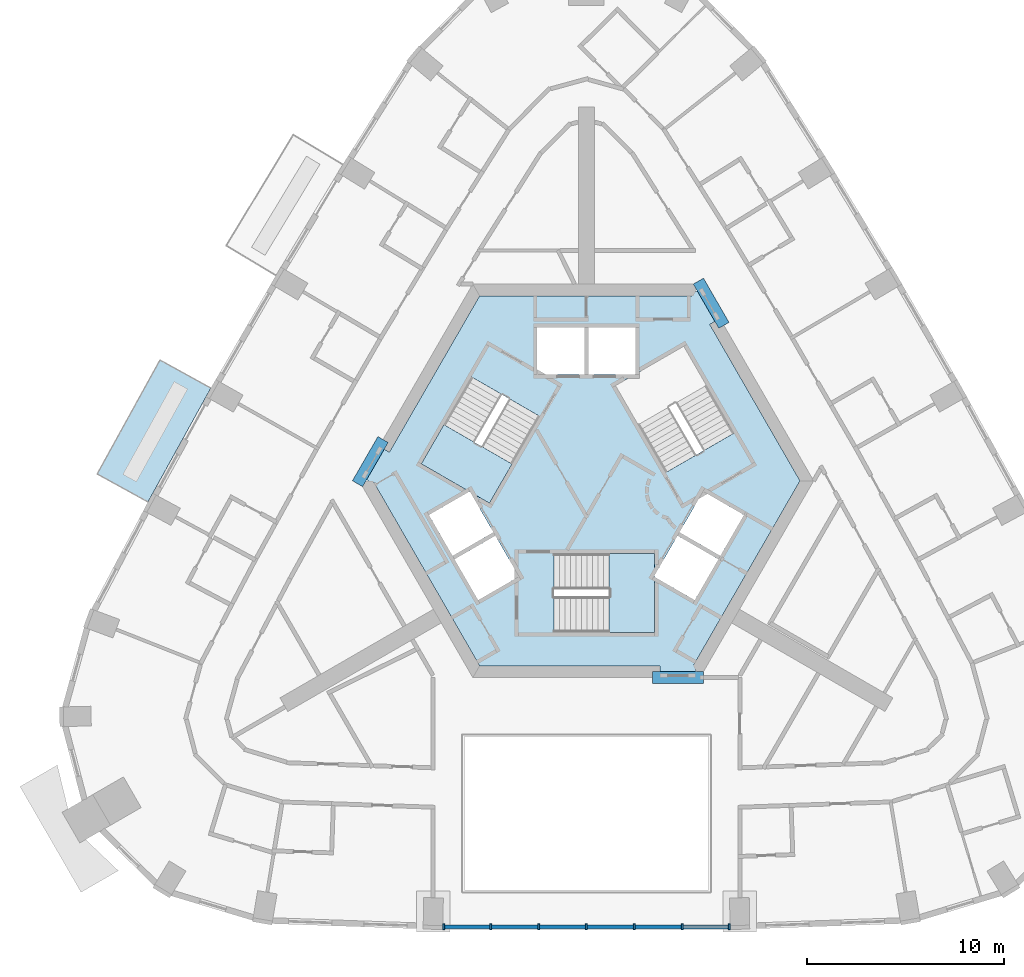
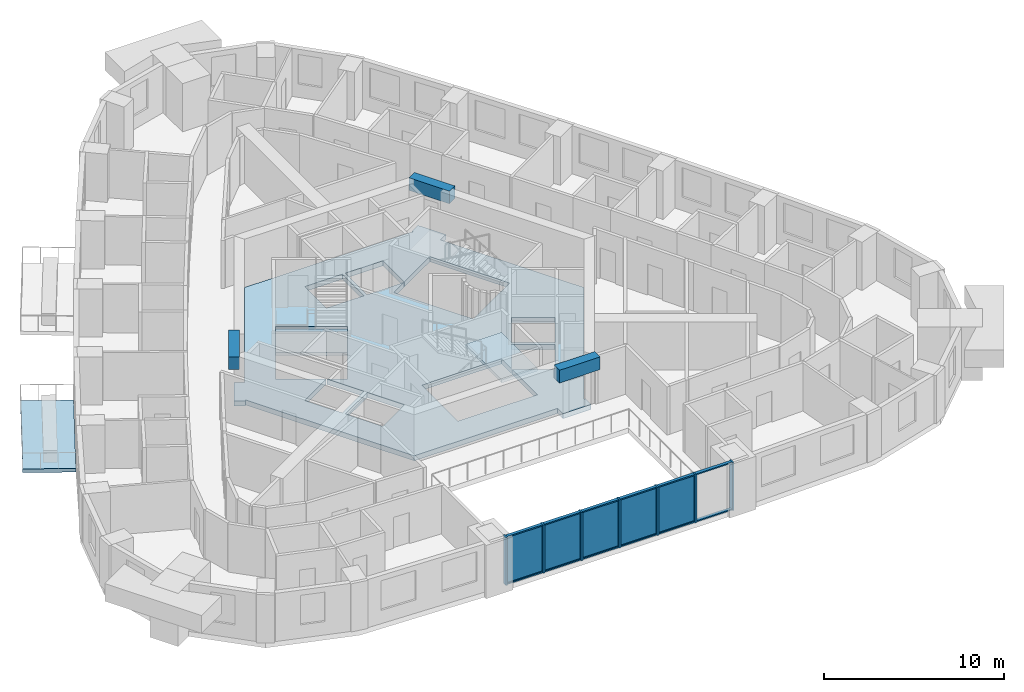
# One storey, part 2 of 14: 19 members, 5 plates, 4 slabs, 3 beams, 3 elements without a shape of their own.
"""IFC4 building model written with IfcOpenShell, lengths in metres."""

from ifc_helpers import new_model, si_unit, direction, frame, origin, origin_2d, place, context, subcontext, project, spatial, polyline, rectangle, outline, extrude, material, layer, layer_set, material_profile, profile_set, type_object, element, aggregate, save


model = new_model("IFC4")

# Units and contexts
model_context = context("Model", 3, precision=1e-05, world=origin(), true_north=direction((0.0, 1.0)))
body_context = subcontext(model_context, "Body", "Model", "MODEL_VIEW")
ifc_project = project(units=[si_unit("LENGTHUNIT", "METRE"), si_unit("AREAUNIT", "SQUARE_METRE"), si_unit("VOLUMEUNIT", "CUBIC_METRE"), si_unit("PLANEANGLEUNIT", "RADIAN"), si_unit("MASSUNIT", "GRAM", prefix="KILO")], contexts=[model_context])

# Site, building, storey
site_placement = place(None, origin())
site = spatial("IfcSite", under=ifc_project, at=site_placement, CompositionType="ELEMENT")
building_placement = place(site_placement, origin())
building = spatial("IfcBuilding", under=site, at=building_placement, Name="Entoto Arch Interchange Tower", CompositionType="ELEMENT")
storey_placement = place(building_placement, frame((0.0, 0.0, 259.39990234375)))
storey = spatial("IfcBuildingStorey", under=building, at=storey_placement, Name="L59", CompositionType="ELEMENT", Elevation=259.39990234375)

# Beams
ifc_material_1 = material(Name="Concrete C40/50", Category="concrete")
ifc_material_profile_1 = material_profile(ifc_material_1, rectangle(XDim=0.60009765625, YDim=0.860107421875, at=origin_2d()))
ifc_profile_set_1 = profile_set([ifc_material_profile_1], Name="Concrete C40/50")
beam_type = type_object("IfcBeamType", Name="Coupling beam RC 600x860 C40/50", PredefinedType="BEAM", material=ifc_profile_set_1)
beam_1_placement = place(storey_placement, frame((6.986083984375, 10.40087890625, 2.830078125), z_axis=(-0.500379508478, 0.865806183562, 0.0), x_axis=(-0.865806183562, -0.500379508478, 0.0)))
element("IfcBeam", 1, at=beam_1_placement, inside=storey, type_object=beam_type, Name="Coupling beam NE L59", PredefinedType="BEAM", context=body_context, shape_type="SweptSolid", body=[
    extrude(rectangle(XDim=0.60009765625, YDim=0.860107421875, at=origin_2d()), origin(), (0.0, 0.0, 1.0), 2.59423828125),
])
beam_2_placement = place(storey_placement, frame((-10.3359375, 4.59912109375, 2.830078125), z_axis=(-0.499814819145, -0.866132291606, 0.0), x_axis=(0.866132291606, -0.499814819145, 0.0)))
element("IfcBeam", 2, at=beam_2_placement, inside=storey, type_object=beam_type, Name="Coupling beam NW L59", PredefinedType="BEAM", context=body_context, shape_type="SweptSolid", body=[
    extrude(rectangle(XDim=0.60009765625, YDim=0.860107421875, at=origin_2d()), origin(), (0.0, 0.0, 1.0), 2.59326171875),
])
beam_3_placement = place(storey_placement, frame((3.35009765625, -7.5, 2.830078125), z_axis=(1.0, 0.0, 0.0), x_axis=(0.0, 1.0, 0.0)))
element("IfcBeam", 3, at=beam_3_placement, inside=storey, type_object=beam_type, Name="Coupling beam S L59", PredefinedType="BEAM", context=body_context, shape_type="SweptSolid", body=[
    extrude(rectangle(XDim=0.60009765625, YDim=0.860107421875, at=origin_2d()), origin(), (0.0, 0.0, 1.0), 2.593994140625),
])

# Curtain wall, members
ifc_material_2 = material(Name="Aluminium, anodised", Category="aluminium")
curtain_wall_type = type_object("IfcCurtainWallType", Name="CURTAIN WALL ATRIUM", PredefinedType="NOTDEFINED", material=ifc_material_2)
curtain_wall_placement = place(storey_placement, origin())
curtain_wall = element("IfcCurtainWall", 4, at=curtain_wall_placement, inside=storey, type_object=curtain_wall_type, Name="Atrium glazing S-02 L59", PredefinedType="NOTDEFINED")
ifc_material_profile_2 = material_profile(ifc_material_2, rectangle(XDim=0.300048828125, YDim=0.10009765625, at=origin_2d()))
ifc_profile_set_2 = profile_set([ifc_material_profile_2], Name="Aluminium, anodised")
member_type_1 = type_object("IfcMemberType", Name="MULLION ATRIUM 100x300", PredefinedType="MULLION", material=ifc_profile_set_2)
member_1_placement = place(storey_placement, frame((-7.2490234375, -20.1640625, 0.0), z_axis=(0.0, 0.0, 1.0), x_axis=(0.0, 1.0, 0.0)))
member_1 = element("IfcMember", 5, at=member_1_placement, type_object=member_type_1, Name="CWA mullion 1", PredefinedType="MULLION", context=body_context, shape_type="SweptSolid", body=[
    extrude(rectangle(XDim=0.300048828125, YDim=0.10009765625, at=origin_2d()), origin(), (0.0, 0.0, 1.0), 3.260009765625),
])
member_2_placement = place(storey_placement, frame((-4.865966796875, -20.1640625, 0.0), z_axis=(0.0, 0.0, 1.0), x_axis=(0.0, 1.0, 0.0)))
member_2 = element("IfcMember", 6, at=member_2_placement, type_object=member_type_1, Name="CWA mullion 2", PredefinedType="MULLION", context=body_context, shape_type="SweptSolid", body=[
    extrude(rectangle(XDim=0.300048828125, YDim=0.10009765625, at=origin_2d()), origin(), (0.0, 0.0, 1.0), 3.260009765625),
])
member_3_placement = place(storey_placement, frame((-2.43310546875, -20.1640625, 0.0), z_axis=(0.0, 0.0, 1.0), x_axis=(0.0, 1.0, 0.0)))
member_3 = element("IfcMember", 7, at=member_3_placement, type_object=member_type_1, Name="CWA mullion 3", PredefinedType="MULLION", context=body_context, shape_type="SweptSolid", body=[
    extrude(rectangle(XDim=0.300048828125, YDim=0.10009765625, at=origin_2d()), origin(), (0.0, 0.0, 1.0), 3.260009765625),
])
member_4_placement = place(storey_placement, frame((0.0, -20.1640625, 0.0), z_axis=(0.0, 0.0, 1.0), x_axis=(0.0, 1.0, 0.0)))
member_4 = element("IfcMember", 8, at=member_4_placement, type_object=member_type_1, Name="CWA mullion 4", PredefinedType="MULLION", context=body_context, shape_type="SweptSolid", body=[
    extrude(rectangle(XDim=0.300048828125, YDim=0.10009765625, at=origin_2d()), origin(), (0.0, 0.0, 1.0), 3.260009765625),
])
member_5_placement = place(storey_placement, frame((2.43310546875, -20.1640625, 0.0), z_axis=(0.0, 0.0, 1.0), x_axis=(0.0, 1.0, 0.0)))
member_5 = element("IfcMember", 9, at=member_5_placement, type_object=member_type_1, Name="CWA mullion 5", PredefinedType="MULLION", context=body_context, shape_type="SweptSolid", body=[
    extrude(rectangle(XDim=0.300048828125, YDim=0.10009765625, at=origin_2d()), origin(), (0.0, 0.0, 1.0), 3.260009765625),
])
member_6_placement = place(storey_placement, frame((4.865966796875, -20.1640625, 0.0), z_axis=(0.0, 0.0, 1.0), x_axis=(0.0, 1.0, 0.0)))
member_6 = element("IfcMember", 10, at=member_6_placement, type_object=member_type_1, Name="CWA mullion 6", PredefinedType="MULLION", context=body_context, shape_type="SweptSolid", body=[
    extrude(rectangle(XDim=0.300048828125, YDim=0.10009765625, at=origin_2d()), origin(), (0.0, 0.0, 1.0), 3.260009765625),
])
member_7_placement = place(storey_placement, frame((7.2490234375, -20.1640625, 0.0), z_axis=(0.0, 0.0, 1.0), x_axis=(0.0, 1.0, 0.0)))
member_7 = element("IfcMember", 11, at=member_7_placement, type_object=member_type_1, Name="CWA mullion 7", PredefinedType="MULLION", context=body_context, shape_type="SweptSolid", body=[
    extrude(rectangle(XDim=0.300048828125, YDim=0.10009765625, at=origin_2d()), origin(), (0.0, 0.0, 1.0), 3.260009765625),
])
ifc_material_profile_3 = material_profile(ifc_material_2, rectangle(XDim=0.199951171875, YDim=0.080078125, at=origin_2d()))
ifc_profile_set_3 = profile_set([ifc_material_profile_3], Name="Aluminium, anodised")
member_type_2 = type_object("IfcMemberType", Name="TRANSOM ATRIUM 80x200", PredefinedType="USERDEFINED", material=ifc_profile_set_3)
member_8_placement = place(storey_placement, frame((-7.198974609375, -20.1640625, 0.0400390625), z_axis=(1.0, 0.0, 0.0), x_axis=(0.0, 1.0, 0.0)))
member_8 = element("IfcMember", 12, at=member_8_placement, type_object=member_type_2, Name="CWA transom 1.1", ObjectType="TRANSOM", PredefinedType="USERDEFINED", context=body_context, shape_type="SweptSolid", body=[
    extrude(rectangle(XDim=0.199951171875, YDim=0.080078125, at=origin_2d()), origin(), (0.0, 0.0, 1.0), 2.282958984375),
])
member_9_placement = place(storey_placement, frame((-7.198974609375, -20.1640625, 3.22021484375), z_axis=(1.0, 0.0, 0.0), x_axis=(0.0, 1.0, 0.0)))
member_9 = element("IfcMember", 13, at=member_9_placement, type_object=member_type_2, Name="CWA transom 1.2", ObjectType="TRANSOM", PredefinedType="USERDEFINED", context=body_context, shape_type="SweptSolid", body=[
    extrude(rectangle(XDim=0.199951171875, YDim=0.080078125, at=origin_2d()), origin(), (0.0, 0.0, 1.0), 2.282958984375),
])
member_10_placement = place(storey_placement, frame((-4.81591796875, -20.1640625, 0.0400390625), z_axis=(1.0, 0.0, 0.0), x_axis=(0.0, 1.0, 0.0)))
member_10 = element("IfcMember", 14, at=member_10_placement, type_object=member_type_2, Name="CWA transom 2.1", ObjectType="TRANSOM", PredefinedType="USERDEFINED", context=body_context, shape_type="SweptSolid", body=[
    extrude(rectangle(XDim=0.199951171875, YDim=0.080078125, at=origin_2d()), origin(), (0.0, 0.0, 1.0), 2.3330078125),
])
member_11_placement = place(storey_placement, frame((-4.81591796875, -20.1640625, 3.22021484375), z_axis=(1.0, 0.0, 0.0), x_axis=(0.0, 1.0, 0.0)))
member_11 = element("IfcMember", 15, at=member_11_placement, type_object=member_type_2, Name="CWA transom 2.2", ObjectType="TRANSOM", PredefinedType="USERDEFINED", context=body_context, shape_type="SweptSolid", body=[
    extrude(rectangle(XDim=0.199951171875, YDim=0.080078125, at=origin_2d()), origin(), (0.0, 0.0, 1.0), 2.3330078125),
])
member_12_placement = place(storey_placement, frame((-2.383056640625, -20.1640625, 0.0400390625), z_axis=(1.0, 0.0, 0.0), x_axis=(0.0, 1.0, 0.0)))
member_12 = element("IfcMember", 16, at=member_12_placement, type_object=member_type_2, Name="CWA transom 3.1", ObjectType="TRANSOM", PredefinedType="USERDEFINED", context=body_context, shape_type="SweptSolid", body=[
    extrude(rectangle(XDim=0.199951171875, YDim=0.080078125, at=origin_2d()), origin(), (0.0, 0.0, 1.0), 2.3330078125),
])
member_13_placement = place(storey_placement, frame((-2.383056640625, -20.1640625, 3.22021484375), z_axis=(1.0, 0.0, 0.0), x_axis=(0.0, 1.0, 0.0)))
member_13 = element("IfcMember", 17, at=member_13_placement, type_object=member_type_2, Name="CWA transom 3.2", ObjectType="TRANSOM", PredefinedType="USERDEFINED", context=body_context, shape_type="SweptSolid", body=[
    extrude(rectangle(XDim=0.199951171875, YDim=0.080078125, at=origin_2d()), origin(), (0.0, 0.0, 1.0), 2.3330078125),
])
member_14_placement = place(storey_placement, frame((0.050048828125, -20.1640625, 0.0400390625), z_axis=(1.0, 0.0, 0.0), x_axis=(0.0, 1.0, 0.0)))
member_14 = element("IfcMember", 18, at=member_14_placement, type_object=member_type_2, Name="CWA transom 4.1", ObjectType="TRANSOM", PredefinedType="USERDEFINED", context=body_context, shape_type="SweptSolid", body=[
    extrude(rectangle(XDim=0.199951171875, YDim=0.080078125, at=origin_2d()), origin(), (0.0, 0.0, 1.0), 2.3330078125),
])
member_15_placement = place(storey_placement, frame((0.050048828125, -20.1640625, 3.22021484375), z_axis=(1.0, 0.0, 0.0), x_axis=(0.0, 1.0, 0.0)))
member_15 = element("IfcMember", 19, at=member_15_placement, type_object=member_type_2, Name="CWA transom 4.2", ObjectType="TRANSOM", PredefinedType="USERDEFINED", context=body_context, shape_type="SweptSolid", body=[
    extrude(rectangle(XDim=0.199951171875, YDim=0.080078125, at=origin_2d()), origin(), (0.0, 0.0, 1.0), 2.3330078125),
])
member_16_placement = place(storey_placement, frame((2.48291015625, -20.1640625, 0.0400390625), z_axis=(1.0, 0.0, 0.0), x_axis=(0.0, 1.0, 0.0)))
member_16 = element("IfcMember", 20, at=member_16_placement, type_object=member_type_2, Name="CWA transom 5.1", ObjectType="TRANSOM", PredefinedType="USERDEFINED", context=body_context, shape_type="SweptSolid", body=[
    extrude(rectangle(XDim=0.199951171875, YDim=0.080078125, at=origin_2d()), origin(), (0.0, 0.0, 1.0), 2.3330078125),
])
member_17_placement = place(storey_placement, frame((2.48291015625, -20.1640625, 3.22021484375), z_axis=(1.0, 0.0, 0.0), x_axis=(0.0, 1.0, 0.0)))
member_17 = element("IfcMember", 21, at=member_17_placement, type_object=member_type_2, Name="CWA transom 5.2", ObjectType="TRANSOM", PredefinedType="USERDEFINED", context=body_context, shape_type="SweptSolid", body=[
    extrude(rectangle(XDim=0.199951171875, YDim=0.080078125, at=origin_2d()), origin(), (0.0, 0.0, 1.0), 2.3330078125),
])
member_18_placement = place(storey_placement, frame((4.916015625, -20.1640625, 0.0400390625), z_axis=(1.0, 0.0, 0.0), x_axis=(0.0, 1.0, 0.0)))
member_18 = element("IfcMember", 22, at=member_18_placement, type_object=member_type_2, Name="CWA transom 6.1", ObjectType="TRANSOM", PredefinedType="USERDEFINED", context=body_context, shape_type="SweptSolid", body=[
    extrude(rectangle(XDim=0.199951171875, YDim=0.080078125, at=origin_2d()), origin(), (0.0, 0.0, 1.0), 2.282958984375),
])
member_19_placement = place(storey_placement, frame((4.916015625, -20.1640625, 3.22021484375), z_axis=(1.0, 0.0, 0.0), x_axis=(0.0, 1.0, 0.0)))
member_19 = element("IfcMember", 23, at=member_19_placement, type_object=member_type_2, Name="CWA transom 6.2", ObjectType="TRANSOM", PredefinedType="USERDEFINED", context=body_context, shape_type="SweptSolid", body=[
    extrude(rectangle(XDim=0.199951171875, YDim=0.080078125, at=origin_2d()), origin(), (0.0, 0.0, 1.0), 2.282958984375),
])

# Slabs
ifc_material_3 = material(Name="Board-marked precast concrete C50/60", Category="concrete")
ifc_layer_1 = layer(ifc_material_3, 0.25)
ifc_layer_set_1 = layer_set([ifc_layer_1], Name="Board-marked precast concrete C50/60")
slab_type_1 = type_object("IfcSlabType", Name="BALCONY DECK PRECAST 250", PredefinedType="FLOOR", material=ifc_layer_set_1)
slab_1_placement = place(storey_placement, frame((0.0, 0.0, -0.25)))
element("IfcSlab", 24, at=slab_1_placement, inside=storey, type_object=slab_type_1, Name="Planted balcony NW-04 L59", PredefinedType="FLOOR", context=body_context, shape_type="SweptSolid", body=[
    extrude(outline(polyline([(-19.087890625, 7.2080078125), (-22.280029296875, 1.427978515625), (-24.862060546875, 2.85400390625), (-21.669921875, 8.634033203125), (-19.087890625, 7.2080078125)])), origin(), (0.0, 0.0, 1.0), 0.25),
])
ifc_layer_2 = layer(ifc_material_1, 0.340087890625)
ifc_layer_set_2 = layer_set([ifc_layer_2], Name="Concrete C40/50")
slab_type_2 = type_object("IfcSlabType", Name="Core floor slab 340 C40/50", PredefinedType="FLOOR", material=ifc_layer_set_2)
slab_2_placement = place(storey_placement, frame((0.0, 0.0, -0.33984375)))
element("IfcSlab", 25, at=slab_2_placement, inside=storey, type_object=slab_type_2, Name="Core floor slab L59", PredefinedType="FLOOR", context=body_context, shape_type="SweptSolid", body=[
    extrude(outline(polyline([(-10.824951171875, 2.450927734375), (-10.8701171875, 2.3740234375), (-11.431884765625, 2.698974609375), (-10.535888671875, 4.2529296875), (-10.014892578125, 3.952880859375), (-5.427001953125, 11.89990234375), (5.368896484375, 11.89990234375), (5.325927734375, 11.97607421875), (5.887939453125, 12.301025390625), (6.784912109375, 10.7470703125), (6.26611328125, 10.447021484375), (10.85400390625, 2.5), (5.4560546875, -6.85009765625), (5.5439453125, -6.85009765625), (5.5439453125, -7.5), (3.75, -7.5), (3.75, -6.89990234375), (-5.427001953125, -6.89990234375), (-10.824951171875, 2.450927734375)]), holes=[polyline([(-1.64990234375, -5.199951171875), (3.449951171875, -5.199951171875), (3.449951171875, -2.3779296875), (5.5048828125, -3.56494140625), (6.705078125, -1.487060546875), (4.626953125, -0.287109375), (3.449951171875, -2.324951171875), (3.449951171875, -1.199951171875), (-1.64990234375, -1.199951171875), (-1.64990234375, -5.199951171875)]), polyline([(-4.626953125, -0.287109375), (-6.705078125, -1.487060546875), (-5.5048828125, -3.56494140625), (-3.427001953125, -2.364990234375), (-4.626953125, -0.287109375)]), polyline([(-5.904052734375, 1.925048828125), (-4.928955078125, 1.362060546875), (-2.37890625, 5.779052734375), (-5.843017578125, 7.779052734375), (-8.39306640625, 3.362060546875), (-5.949951171875, 1.951904296875), (-8.0048828125, 0.764892578125), (-6.804931640625, -1.31298828125), (-4.72705078125, -0.113037109375), (-5.904052734375, 1.925048828125)]), polyline([(4.72705078125, -0.113037109375), (6.804931640625, -1.31298828125), (8.0048828125, 0.764892578125), (5.927001953125, 1.965087890625), (4.72705078125, -0.113037109375)]), polyline([(2.5, 7.927001953125), (2.5, 10.300048828125), (0.10009765625, 10.300048828125), (0.10009765625, 7.89990234375), (2.452880859375, 7.89990234375), (1.47900390625, 7.337890625), (4.029052734375, 2.9208984375), (7.492919921875, 4.9208984375), (4.943115234375, 9.337890625), (2.5, 7.927001953125)]), polyline([(-2.5, 7.89990234375), (-0.10009765625, 7.89990234375), (-0.10009765625, 10.300048828125), (-2.5, 10.300048828125), (-2.5, 7.89990234375)])]), origin(), (0.0, 0.0, 1.0), 0.33984375),
])

# Stair, slab
stair_type = type_object("IfcStairType", Name="EXIT STAIR RC 1800", PredefinedType="HALF_TURN_STAIR", material=ifc_material_1)
stair_1_placement = place(storey_placement, origin())
stair_1 = element("IfcStair", 26, at=stair_1_placement, inside=storey, type_object=stair_type, Name="L59 Exit stair S", PredefinedType="HALF_TURN_STAIR")
ifc_layer_3 = layer(ifc_material_1, 0.199951171875)
ifc_layer_set_3 = layer_set([ifc_layer_3], Name="Concrete C40/50")
slab_type_3 = type_object("IfcSlabType", Name="EXIT STAIR LANDING RC 200", PredefinedType="LANDING", material=ifc_layer_set_3)
slab_3_placement = place(storey_placement, frame((0.0, 0.0, 1.60009765625)))
slab_3 = element("IfcSlab", 27, at=slab_3_placement, type_object=slab_type_3, Name="ST-S landing 1", PredefinedType="LANDING", context=body_context, shape_type="SweptSolid", body=[
    extrude(outline(polyline([(1.14990234375, -5.199951171875), (3.449951171875, -5.199951171875), (3.449951171875, -1.199951171875), (1.14990234375, -1.199951171875), (1.14990234375, -5.199951171875)])), origin(), (0.0, 0.0, 1.0), 0.199951171875),
])
aggregate(stair_1, [slab_3])

stair_2_placement = place(storey_placement, origin())
stair_2 = element("IfcStair", 28, at=stair_2_placement, inside=storey, type_object=stair_type, Name="L59 Exit stair NW", PredefinedType="HALF_TURN_STAIR")
slab_4_placement = place(storey_placement, frame((0.0, 0.0, 1.60009765625)))
slab_4 = element("IfcSlab", 29, at=slab_4_placement, type_object=slab_type_3, Name="ST-NW landing 1", PredefinedType="LANDING", context=body_context, shape_type="SweptSolid", body=[
    extrude(outline(polyline([(-7.243408203125, 5.35400390625), (-8.393310546875, 3.3623046875), (-4.92919921875, 1.3623046875), (-3.779296875, 3.35400390625), (-7.243408203125, 5.35400390625)])), origin(), (0.0, 0.0, 1.0), 0.199951171875),
])
aggregate(stair_2, [slab_4])

# Plate
ifc_material_4 = material(Name="Clear glass, low-e double glazed", Category="glass")
ifc_layer_4 = layer(ifc_material_4, 0.031982421875)
ifc_layer_set_4 = layer_set([ifc_layer_4], Name="Clear glass, low-e double glazed")
plate_type = type_object("IfcPlateType", Name="GLAZING PANEL ATRIUM 32", PredefinedType="CURTAIN_PANEL", material=ifc_layer_set_4)
plate_1_placement = place(storey_placement, frame((-6.0576171875, -20.1640625, 0.080078125), z_axis=(0.0, 0.0, 1.0), x_axis=(1.0, 0.0, 0.0)))
plate_1 = element("IfcPlate", 30, at=plate_1_placement, type_object=plate_type, Name="CWA panel 1.1", PredefinedType="CURTAIN_PANEL", context=body_context, shape_type="SweptSolid", body=[
    extrude(rectangle(XDim=2.282958984375, YDim=0.031982421875, at=origin_2d()), origin(), (0.0, 0.0, 1.0), 3.10009765625),
])

plate_2_placement = place(storey_placement, frame((-3.6494140625, -20.1640625, 0.080078125), z_axis=(0.0, 0.0, 1.0), x_axis=(1.0, 0.0, 0.0)))
plate_2 = element("IfcPlate", 31, at=plate_2_placement, type_object=plate_type, Name="CWA panel 2.1", PredefinedType="CURTAIN_PANEL", context=body_context, shape_type="SweptSolid", body=[
    extrude(rectangle(XDim=2.3330078125, YDim=0.031982421875, at=origin_2d()), origin(), (0.0, 0.0, 1.0), 3.10009765625),
])

plate_3_placement = place(storey_placement, frame((-1.216552734375, -20.1640625, 0.080078125), z_axis=(0.0, 0.0, 1.0), x_axis=(1.0, 0.0, 0.0)))
plate_3 = element("IfcPlate", 32, at=plate_3_placement, type_object=plate_type, Name="CWA panel 3.1", PredefinedType="CURTAIN_PANEL", context=body_context, shape_type="SweptSolid", body=[
    extrude(rectangle(XDim=2.3330078125, YDim=0.031982421875, at=origin_2d()), origin(), (0.0, 0.0, 1.0), 3.10009765625),
])

plate_4_placement = place(storey_placement, frame((1.216552734375, -20.1640625, 0.080078125), z_axis=(0.0, 0.0, 1.0), x_axis=(1.0, 0.0, 0.0)))
plate_4 = element("IfcPlate", 33, at=plate_4_placement, type_object=plate_type, Name="CWA panel 4.1", PredefinedType="CURTAIN_PANEL", context=body_context, shape_type="SweptSolid", body=[
    extrude(rectangle(XDim=2.3330078125, YDim=0.031982421875, at=origin_2d()), origin(), (0.0, 0.0, 1.0), 3.10009765625),
])

plate_5_placement = place(storey_placement, frame((3.6494140625, -20.1640625, 0.080078125), z_axis=(0.0, 0.0, 1.0), x_axis=(1.0, 0.0, 0.0)))
plate_5 = element("IfcPlate", 34, at=plate_5_placement, type_object=plate_type, Name="CWA panel 5.1", PredefinedType="CURTAIN_PANEL", context=body_context, shape_type="SweptSolid", body=[
    extrude(rectangle(XDim=2.3330078125, YDim=0.031982421875, at=origin_2d()), origin(), (0.0, 0.0, 1.0), 3.10009765625),
])

aggregate(curtain_wall, [member_1, member_2, member_3, member_4, member_5, member_6, member_7, member_8, member_9, plate_1, member_10, member_11, plate_2, member_12, member_13, plate_3, member_14, member_15, plate_4, member_16, member_17, plate_5, member_18, member_19])

save(model, "model.ifc")
